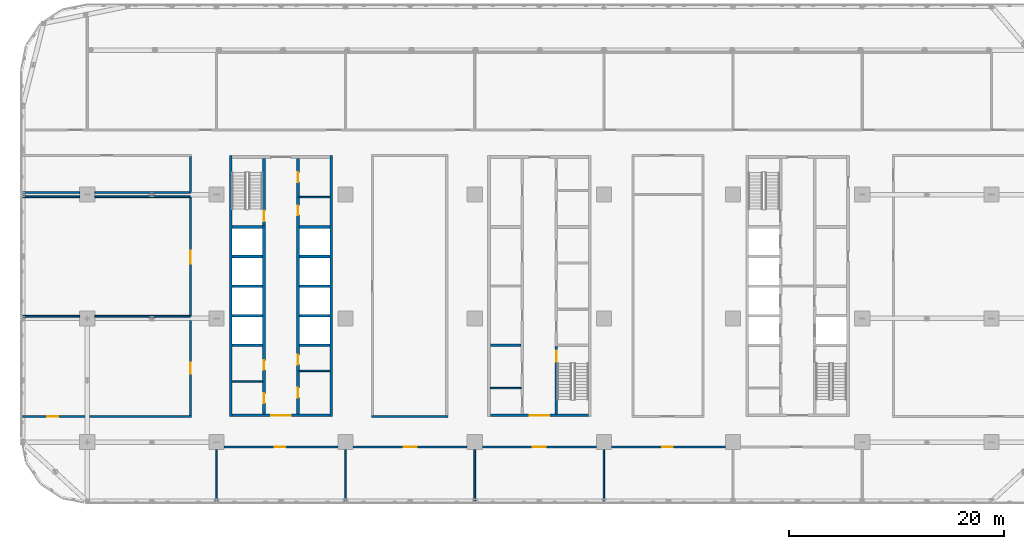
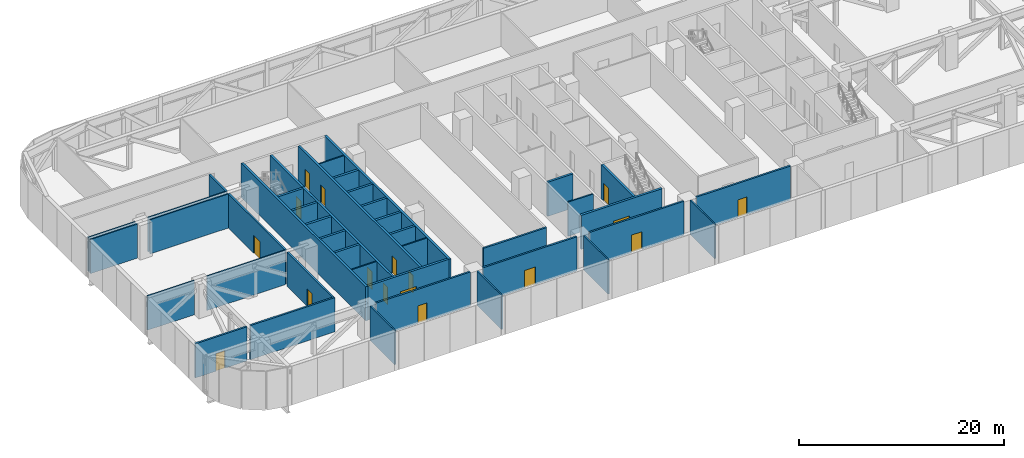
# One storey, part 9 of 26: 43 walls, 17 doors, 17 openings.
"""IFC4 building model written with IfcOpenShell, lengths in metres."""

import ifcopenshell
import ifcopenshell.guid

model = None  # the IFC model being written
_history = None  # IfcOwnerHistory: only IFC2X3 demands one
_inside = {}  # id of a spatial element -> (the spatial element, [elements in it])
_under = {}  # id of a project, library or spatial element -> (it, [spatial elements below it])
_declared = {}  # id of a project -> (the project, [libraries it declares])
_typed = {}  # id of a type object -> (the type object, [elements of that type])
_made_of = {}  # id of a material, layer set ... -> (it, [elements and type objects made of it])


def new_model(schema):
    """Start an empty IFC model of exactly this schema.

    Asked for "IFC4X3", IfcOpenShell would pick the latest addendum, in which some entities
    have other attributes; the version numbers below select the first issue.
    IFC2X3 requires an IfcOwnerHistory on every rooted entity: one is made here for all.
    """
    global model, _history
    if schema == "IFC4X3":
        model = ifcopenshell.file(schema_version=(4, 3, 0, 0))
    else:
        model = ifcopenshell.file(schema=schema)
    _inside.clear()
    _under.clear()
    _declared.clear()
    _typed.clear()
    _made_of.clear()
    _history = None
    if model.schema == "IFC2X3":
        org = make("IfcOrganization", Name="unknown")
        user = make(
            "IfcPersonAndOrganization",
            ThePerson=make("IfcPerson", FamilyName="unknown"),
            TheOrganization=org,
        )
        app = make(
            "IfcApplication",
            ApplicationDeveloper=org,
            Version="unknown",
            ApplicationFullName="unknown",
            ApplicationIdentifier="unknown",
        )
        _history = make(
            "IfcOwnerHistory",
            OwningUser=user,
            OwningApplication=app,
            ChangeAction="ADDED",
            CreationDate=0,
        )
    return model


def make(cls, **values):
    """One entity of the class cls with the attributes given. An attribute that is None is left unset."""
    return model.create_entity(
        cls, **{name: value for name, value in values.items() if value is not None}
    )


def rooted(cls, **values):
    """An entity with a GlobalId (a new one), such as an element, a storey or a relation."""
    return make(cls, GlobalId=ifcopenshell.guid.new(), OwnerHistory=_history, **values)


def si_unit(unit_type, name, prefix=None):
    """IfcSIUnit, for example si_unit("LENGTHUNIT", "METRE", prefix="MILLI")."""
    return make("IfcSIUnit", UnitType=unit_type, Prefix=prefix, Name=name)


def assignment(units):
    """IfcUnitAssignment: the units of a project."""
    return None if units is None else make("IfcUnitAssignment", Units=units)


def point(xyz):
    """IfcCartesianPoint."""
    return None if xyz is None else make("IfcCartesianPoint", Coordinates=xyz)


def direction(xyz):
    """IfcDirection."""
    return None if xyz is None else make("IfcDirection", DirectionRatios=xyz)


def frame(location, z_axis=None, x_axis=None):
    """IfcAxis2Placement3D, a coordinate frame: its origin and axes. An axis left out is left unset."""
    return make(
        "IfcAxis2Placement3D",
        Location=point(location),
        Axis=direction(z_axis),
        RefDirection=direction(x_axis),
    )


def frame_2d(location, x_axis=None):
    """IfcAxis2Placement2D, a coordinate frame in the plane: its origin and x axis."""
    return make(
        "IfcAxis2Placement2D", Location=point(location), RefDirection=direction(x_axis)
    )


def origin():
    """The frame at (0, 0, 0) with its axes left unset."""
    return frame((0.0, 0.0, 0.0))


def place(relative_to, where):
    """IfcLocalPlacement: puts the frame where relative to a parent placement (None: the world)."""
    return make(
        "IfcLocalPlacement", PlacementRelTo=relative_to, RelativePlacement=where
    )


def context(
    kind, dimensions, precision=None, world=None, true_north=None, identifier=None
):
    """IfcGeometricRepresentationContext, for example the 3D "Model" context."""
    return make(
        "IfcGeometricRepresentationContext",
        ContextIdentifier=identifier,
        ContextType=kind,
        CoordinateSpaceDimension=dimensions,
        Precision=precision,
        WorldCoordinateSystem=world,
        TrueNorth=true_north,
    )


def subcontext(parent, identifier, kind, view, scale=None):
    """IfcGeometricRepresentationSubContext, for example "Body" below "Model"."""
    return make(
        "IfcGeometricRepresentationSubContext",
        ContextIdentifier=identifier,
        ContextType=kind,
        ParentContext=parent,
        TargetScale=scale,
        TargetView=view,
    )


def project(units=None, contexts=None):
    """IfcProject with its units and contexts."""
    return rooted(
        "IfcProject",
        Name="project",
        RepresentationContexts=contexts,
        UnitsInContext=assignment(units),
    )


def spatial(cls, under=None, at=None, **own):
    """A site, building, storey or space (cls), placed at a placement, below another one or the project."""
    s = rooted(cls, ObjectPlacement=at, **own)
    if under is not None:
        _under.setdefault(under.id(), (under, []))[1].append(s)
    return s


def profile(cls, at=None, kind="AREA", **sizes):
    """A parametric profile (cls). Its sizes go by their IFC names, for example OverallWidth=200.0."""
    return make(cls, ProfileType=kind, Position=at, **sizes)


def rectangle(**sizes):
    """IfcRectangleProfileDef."""
    return profile("IfcRectangleProfileDef", **sizes)


def extrude(swept, where, along, depth):
    """IfcExtrudedAreaSolid: the profile swept, set in the frame where, extruded along a direction by depth."""
    return make(
        "IfcExtrudedAreaSolid",
        SweptArea=swept,
        Position=where,
        ExtrudedDirection=direction(along),
        Depth=depth,
    )


def shape(context_of_items, identifier, shape_type, items):
    """IfcShapeRepresentation: the items that make up one representation, for example the "Body"."""
    return make(
        "IfcShapeRepresentation",
        ContextOfItems=context_of_items,
        RepresentationIdentifier=identifier,
        RepresentationType=shape_type,
        Items=items,
    )


def material(Name=None, Category=None):
    """IfcMaterial."""
    return make("IfcMaterial", Name=Name, Category=Category)


def layer(
    of_material, thickness, ventilated=None, Name=None, Category=None, Priority=None
):
    """IfcMaterialLayer: one layer of a wall or slab, of a material (None: an air gap)."""
    return make(
        "IfcMaterialLayer",
        Material=of_material,
        LayerThickness=thickness,
        IsVentilated=ventilated,
        Name=Name,
        Category=Category,
        Priority=Priority,
    )


def layer_set(layers, Name=None):
    """IfcMaterialLayerSet."""
    return make("IfcMaterialLayerSet", MaterialLayers=layers, LayerSetName=Name)


def made_of(thing, what):
    """Note that an element or type object is made of a material, layer set ...; save() writes the relation."""
    if what is not None:
        _made_of.setdefault(what.id(), (what, []))[1].append(thing)
    return thing


def type_object(cls, material=None, **own):
    """A type object (cls), such as IfcWallType, which elements share."""
    return made_of(rooted(cls, **own), material)


def element(
    cls,
    number,
    at=None,
    inside=None,
    cuts=None,
    type_object=None,
    material=None,
    context=None,
    identifier="Body",
    shape_type=None,
    held_by="IfcProductDefinitionShape",
    body=None,
    shapes=None,
    **own,
):
    """One element of the class cls, such as IfcWall. Its Tag is "e" and its number.

    at: its placement. inside: the storey or other place that contains it. cuts: it is an
    opening in that element (IfcRelVoidsElement). A single representation is given by context,
    identifier, shape_type and body (its items); several are given by shapes. held_by: the class
    of the entity that holds the representations. save() writes the other relations.
    """
    e = rooted(cls, Tag="e%d" % number, ObjectPlacement=at, **own)
    if body is not None:
        shapes = [shape(context, identifier, shape_type, body)]
    if shapes is not None:
        e.Representation = make(held_by, Representations=shapes)
    if inside is not None:
        _inside.setdefault(inside.id(), (inside, []))[1].append(e)
    if cuts is not None:
        rooted(
            "IfcRelVoidsElement", RelatingBuildingElement=cuts, RelatedOpeningElement=e
        )
    if type_object is not None:
        _typed.setdefault(type_object.id(), (type_object, []))[1].append(e)
    return made_of(e, material)


def fill(opening, filler):
    """IfcRelFillsElement: the door or window that sits in an opening."""
    return rooted(
        "IfcRelFillsElement",
        RelatingOpeningElement=opening,
        RelatedBuildingElement=filler,
    )


def aggregate(whole, parts):
    """IfcRelAggregates: a whole, such as a stair, and the parts it consists of."""
    return rooted("IfcRelAggregates", RelatingObject=whole, RelatedObjects=parts)


def save(model, path):
    """Write the relations noted so far, then the file.

    IfcRelAggregates (storeys below a building ...), IfcRelContainedInSpatialStructure (elements
    in a storey), IfcRelDefinesByType, IfcRelAssociatesMaterial and IfcRelDeclares: one each for
    every whole, place, type object, material and project.
    """
    for whole, parts in _under.values():
        aggregate(whole, parts)
    for where, things in _inside.values():
        rooted(
            "IfcRelContainedInSpatialStructure",
            RelatedElements=things,
            RelatingStructure=where,
        )
    for kind, things in _typed.values():
        rooted("IfcRelDefinesByType", RelatedObjects=things, RelatingType=kind)
    for what, things in _made_of.values():
        rooted("IfcRelAssociatesMaterial", RelatedObjects=things, RelatingMaterial=what)
    for by, libraries in _declared.values():
        rooted("IfcRelDeclares", RelatingContext=by, RelatedDefinitions=libraries)
    model.write(path)


model = new_model("IFC4")

# Units and contexts
model_context = context("Model", 3, precision=1e-05, world=origin(), true_north=direction((0.0, 1.0)))
body_context = subcontext(model_context, "Body", "Model", "MODEL_VIEW")
ifc_project = project(units=[si_unit("LENGTHUNIT", "METRE"), si_unit("AREAUNIT", "SQUARE_METRE"), si_unit("VOLUMEUNIT", "CUBIC_METRE"), si_unit("PLANEANGLEUNIT", "RADIAN"), si_unit("MASSUNIT", "GRAM", prefix="KILO")], contexts=[model_context])

# Site, building, storey
site_placement = place(None, origin())
site = spatial("IfcSite", under=ifc_project, at=site_placement, CompositionType="ELEMENT")
building_placement = place(site_placement, origin())
building = spatial("IfcBuilding", under=site, at=building_placement, Name="Mahtab Terrace Research Tower", CompositionType="ELEMENT")
storey_placement = place(building_placement, frame((0.0, 0.0, 117.60009765625)))
storey = spatial("IfcBuildingStorey", under=building, at=storey_placement, Name="L27", CompositionType="ELEMENT", Elevation=117.60009765625)

# Walls
ifc_material_1 = material(Name="Gypsum board partition")
ifc_layer_1 = layer(ifc_material_1, 0.14990234375)
ifc_layer_set_1 = layer_set([ifc_layer_1], Name="Core partition 150")
wall_type_1 = type_object("IfcWallType", Name="Core partition 150", PredefinedType="PARTITIONING", material=ifc_layer_set_1)
for number, where, z_axis, x_axis, name in (
    (1, (-28.550048828125, -5.875, 0.0), (0.0, 0.0, 1.0), (1.0, 0.0, 0.0), "Core wall A pWS-888"),
    (2, (-22.300048828125, -4.875, 0.0), (0.0, 0.0, 1.0), (1.0, 0.0, 0.0), "Core wall A pES-788"),
    (3, (-22.300048828125, 11.27490234375, 0.0), (0.0, 0.0, 1.0), (1.0, 0.0, 0.0), "Core wall A pEN828"),
    (4, (-4.550048828125, -6.47509765625, 0.0), (0.0, 0.0, 1.0), (1.0, 0.0, 0.0), "Core wall B pWS-948"),
):
    element("IfcWall", number, at=place(storey_placement, frame(where, z_axis=z_axis, x_axis=x_axis)), inside=storey, type_object=wall_type_1, Name=name, PredefinedType="PARTITIONING", context=body_context, shape_type="SweptSolid", body=[
        extrude(rectangle(XDim=2.85009765625, YDim=0.14990234375, at=frame_2d((1.425048828125, 0.0))), origin(), (0.0, 0.0, 1.0), 4.059814453125),
    ])
ifc_material_2 = material(Name="Concrete C70/85", Category="concrete")
ifc_layer_2 = layer(ifc_material_2, 0.25)
ifc_layer_set_2 = layer_set([ifc_layer_2], Name="Core wall 250")
wall_type_2 = type_object("IfcWallType", Name="Core wall 250", PredefinedType="SOLIDWALL", material=ifc_layer_set_2)
for number, where, z_axis, x_axis, name in (
    (5, (-28.675048828125, 15.125, 0.0), (0.0, 0.0, 1.0), (0.0, -1.0, 0.0), "Core wall A outerW"),
    (6, (-19.324951171875, -9.125, 0.0), (0.0, 0.0, 1.0), (0.0, 1.0, 0.0), "Core wall A outerE"),
):
    element("IfcWall", number, at=place(storey_placement, frame(where, z_axis=z_axis, x_axis=x_axis)), inside=storey, type_object=wall_type_2, Name=name, PredefinedType="SOLIDWALL", context=body_context, shape_type="SweptSolid", body=[
        extrude(rectangle(XDim=24.25, YDim=0.25, at=frame_2d((12.125, 0.0))), origin(), (0.0, 0.0, 1.0), 4.059814453125),
    ])

# Wall, opening, door
wall_1_placement = place(storey_placement, frame((-19.449951171875, -9.0, 0.0), z_axis=(0.0, 0.0, 1.0), x_axis=(-1.0, 0.0, 0.0)))
wall_1 = element("IfcWall", 7, at=wall_1_placement, inside=storey, type_object=wall_type_2, Name="Core wall A endS", PredefinedType="SOLIDWALL", context=body_context, shape_type="SweptSolid", body=[
    extrude(rectangle(XDim=9.10009765625, YDim=0.25, at=frame_2d((4.550048828125, 0.0))), origin(), (0.0, 0.0, 1.0), 4.059814453125),
])
opening_1_placement = place(wall_1_placement, frame((3.64990234375, 0.0, 0.0)))
opening_1 = element("IfcOpeningElement", 8, at=opening_1_placement, cuts=wall_1, Name="Opening A-S1", PredefinedType="OPENING", context=body_context, shape_type="SweptSolid", body=[
    extrude(rectangle(XDim=1.800048828125, YDim=2.10009765625, at=frame_2d((0.89990234375, 1.050048828125))), frame((0.0, 0.135009765625, 0.0), z_axis=(0.0, -1.0, 0.0), x_axis=(1.0, 0.0, 0.0)), (0.0, 0.0, 1.0), 0.27001953125),
])
ifc_material_3 = material(Name="Steel fire door", Category="steel")
door_type_1 = type_object("IfcDoorType", Name="Lobby double door 1800x2100 1 HR", OperationType="DOUBLE_DOOR_SINGLE_SWING", PredefinedType="DOOR", material=ifc_material_3)
door_1_placement = place(opening_1_placement, origin())
door_1 = element("IfcDoor", 9, at=door_1_placement, inside=storey, type_object=door_type_1, Name="Core entrance door A S", OperationType="DOUBLE_DOOR_SINGLE_SWING", OverallHeight=2.10009765625, OverallWidth=1.800048828125, PredefinedType="DOOR", context=body_context, shape_type="SweptSolid", body=[
    extrude(rectangle(XDim=1.800048828125, YDim=2.10009765625, at=frame_2d((0.89990234375, 1.050048828125))), frame((0.0, 0.02490234375, 0.0), z_axis=(0.0, -1.0, 0.0), x_axis=(1.0, 0.0, 0.0)), (0.0, 0.0, 1.0), 0.050048828125),
])
fill(opening_1, door_1)

# Wall, openings, doors
wall_2_placement = place(storey_placement, frame((-25.574951171875, -8.875, 0.0), z_axis=(0.0, 0.0, 1.0), x_axis=(0.0, 1.0, 0.0)))
wall_2 = element("IfcWall", 10, at=wall_2_placement, inside=storey, type_object=wall_type_2, Name="Core wall A innerWSL", PredefinedType="SOLIDWALL", context=body_context, shape_type="SweptSolid", body=[
    extrude(rectangle(XDim=17.5, YDim=0.25, at=frame_2d((8.75, 0.0))), origin(), (0.0, 0.0, 1.0), 4.059814453125),
])
opening_2_placement = place(wall_2_placement, frame((1.012451171875, 0.0, 0.0)))
opening_2 = element("IfcOpeningElement", 11, at=opening_2_placement, cuts=wall_2, Name="Opening A-R1", PredefinedType="OPENING", context=body_context, shape_type="SweptSolid", body=[
    extrude(rectangle(XDim=0.89990234375, YDim=2.10009765625, at=frame_2d((0.449951171875, 1.050048828125))), frame((0.0, 0.135009765625, 0.0), z_axis=(0.0, -1.0, 0.0), x_axis=(1.0, 0.0, 0.0)), (0.0, 0.0, 1.0), 0.27001953125),
])
opening_3_placement = place(wall_2_placement, frame((4.08740234375, 0.0, 0.0)))
opening_3 = element("IfcOpeningElement", 12, at=opening_3_placement, cuts=wall_2, Name="Opening A-R2", PredefinedType="OPENING", context=body_context, shape_type="SweptSolid", body=[
    extrude(rectangle(XDim=0.89990234375, YDim=2.10009765625, at=frame_2d((0.449951171875, 1.050048828125))), frame((0.0, 0.135009765625, 0.0), z_axis=(0.0, -1.0, 0.0), x_axis=(1.0, 0.0, 0.0)), (0.0, 0.0, 1.0), 0.27001953125),
])
door_type_2 = type_object("IfcDoorType", Name="Room door 900x2100 1 HR", OperationType="NOTDEFINED", PredefinedType="DOOR", material=ifc_material_3)
door_2_placement = place(opening_2_placement, origin())
door_2 = element("IfcDoor", 13, at=door_2_placement, inside=storey, type_object=door_type_2, Name="Staff WC door", OperationType="SINGLE_SWING_LEFT", OverallHeight=2.10009765625, OverallWidth=0.89990234375, PredefinedType="DOOR", context=body_context, shape_type="SweptSolid", body=[
    extrude(rectangle(XDim=0.89990234375, YDim=2.10009765625, at=frame_2d((0.449951171875, 1.050048828125))), frame((0.0, 0.02490234375, 0.0), z_axis=(0.0, -1.0, 0.0), x_axis=(1.0, 0.0, 0.0)), (0.0, 0.0, 1.0), 0.050048828125),
])
fill(opening_2, door_2)
door_3_placement = place(opening_3_placement, origin())
door_3 = element("IfcDoor", 14, at=door_3_placement, inside=storey, type_object=door_type_2, Name="Accessible WC door", OperationType="SINGLE_SWING_RIGHT", OverallHeight=2.10009765625, OverallWidth=0.89990234375, PredefinedType="DOOR", context=body_context, shape_type="SweptSolid", body=[
    extrude(rectangle(XDim=0.89990234375, YDim=2.10009765625, at=frame_2d((0.449951171875, 1.050048828125))), frame((0.0, 0.02490234375, 0.0), z_axis=(0.0, -1.0, 0.0), x_axis=(1.0, 0.0, 0.0)), (0.0, 0.0, 1.0), 0.050048828125),
])
fill(opening_3, door_3)

# Wall, opening, door
wall_3_placement = place(storey_placement, frame((-25.574951171875, 14.875, 0.0), z_axis=(0.0, 0.0, 1.0), x_axis=(0.0, -1.0, 0.0)))
wall_3 = element("IfcWall", 15, at=wall_3_placement, inside=storey, type_object=wall_type_2, Name="Core wall A innerWN", PredefinedType="SOLIDWALL", context=body_context, shape_type="SweptSolid", body=[
    extrude(rectangle(XDim=6.25, YDim=0.25, at=frame_2d((3.125, 0.0))), origin(), (0.0, 0.0, 1.0), 4.059814453125),
])
opening_4_placement = place(wall_3_placement, frame((4.85009765625, 0.0, 0.0)))
opening_4 = element("IfcOpeningElement", 16, at=opening_4_placement, cuts=wall_3, Name="Opening A-ST1", PredefinedType="OPENING", context=body_context, shape_type="SweptSolid", body=[
    extrude(rectangle(XDim=1.0, YDim=2.10009765625, at=frame_2d((0.5, 1.050048828125))), frame((0.0, 0.135009765625, 0.0), z_axis=(0.0, -1.0, 0.0), x_axis=(1.0, 0.0, 0.0)), (0.0, 0.0, 1.0), 0.27001953125),
])
door_type_3 = type_object("IfcDoorType", Name="Stair door 1000x2100 1.5 HR", OperationType="NOTDEFINED", PredefinedType="DOOR", material=ifc_material_3)
door_4_placement = place(opening_4_placement, origin())
door_4 = element("IfcDoor", 17, at=door_4_placement, inside=storey, type_object=door_type_3, Name="Stair door ST1 L27", OperationType="SINGLE_SWING_LEFT", OverallHeight=2.10009765625, OverallWidth=1.0, PredefinedType="DOOR", context=body_context, shape_type="SweptSolid", body=[
    extrude(rectangle(XDim=1.0, YDim=2.10009765625, at=frame_2d((0.5, 1.050048828125))), frame((0.0, 0.02490234375, 0.0), z_axis=(0.0, -1.0, 0.0), x_axis=(1.0, 0.0, 0.0)), (0.0, 0.0, 1.0), 0.050048828125),
])
fill(opening_4, door_4)

# Wall, openings, doors
wall_4_placement = place(storey_placement, frame((-22.425048828125, 14.875, 0.0), z_axis=(0.0, 0.0, 1.0), x_axis=(0.0, -1.0, 0.0)))
wall_4 = element("IfcWall", 18, at=wall_4_placement, inside=storey, type_object=wall_type_2, Name="Core wall A innerESLN", PredefinedType="SOLIDWALL", context=body_context, shape_type="SweptSolid", body=[
    extrude(rectangle(XDim=23.75, YDim=0.25, at=frame_2d((11.875, 0.0))), origin(), (0.0, 0.0, 1.0), 4.059814453125),
])
opening_5_placement = place(wall_4_placement, frame((21.33740234375, 0.0, 0.0)))
opening_5 = element("IfcOpeningElement", 19, at=opening_5_placement, cuts=wall_4, Name="Opening A-R3", PredefinedType="OPENING", context=body_context, shape_type="SweptSolid", body=[
    extrude(rectangle(XDim=0.89990234375, YDim=2.10009765625, at=frame_2d((0.449951171875, 1.050048828125))), frame((0.0, 0.135009765625, 0.0), z_axis=(0.0, -1.0, 0.0), x_axis=(1.0, 0.0, 0.0)), (0.0, 0.0, 1.0), 0.27001953125),
])
opening_6_placement = place(wall_4_placement, frame((18.262451171875, 0.0, 0.0)))
opening_6 = element("IfcOpeningElement", 20, at=opening_6_placement, cuts=wall_4, Name="Opening A-R4", PredefinedType="OPENING", context=body_context, shape_type="SweptSolid", body=[
    extrude(rectangle(XDim=0.89990234375, YDim=2.10009765625, at=frame_2d((0.449951171875, 1.050048828125))), frame((0.0, 0.135009765625, 0.0), z_axis=(0.0, -1.0, 0.0), x_axis=(1.0, 0.0, 0.0)), (0.0, 0.0, 1.0), 0.27001953125),
])
opening_7_placement = place(wall_4_placement, frame((4.387451171875, 0.0, 0.0)))
opening_7 = element("IfcOpeningElement", 21, at=opening_7_placement, cuts=wall_4, Name="Opening A-R5", PredefinedType="OPENING", context=body_context, shape_type="SweptSolid", body=[
    extrude(rectangle(XDim=0.89990234375, YDim=2.10009765625, at=frame_2d((0.449951171875, 1.050048828125))), frame((0.0, 0.135009765625, 0.0), z_axis=(0.0, -1.0, 0.0), x_axis=(1.0, 0.0, 0.0)), (0.0, 0.0, 1.0), 0.27001953125),
])
opening_8_placement = place(wall_4_placement, frame((1.3125, 0.0, 0.0)))
opening_8 = element("IfcOpeningElement", 22, at=opening_8_placement, cuts=wall_4, Name="Opening A-R6", PredefinedType="OPENING", context=body_context, shape_type="SweptSolid", body=[
    extrude(rectangle(XDim=0.89990234375, YDim=2.10009765625, at=frame_2d((0.449951171875, 1.050048828125))), frame((0.0, 0.135009765625, 0.0), z_axis=(0.0, -1.0, 0.0), x_axis=(1.0, 0.0, 0.0)), (0.0, 0.0, 1.0), 0.27001953125),
])
door_5_placement = place(opening_5_placement, origin())
door_5 = element("IfcDoor", 23, at=door_5_placement, inside=storey, type_object=door_type_2, Name="IT equipment room door", OperationType="SINGLE_SWING_LEFT", OverallHeight=2.10009765625, OverallWidth=0.89990234375, PredefinedType="DOOR", context=body_context, shape_type="SweptSolid", body=[
    extrude(rectangle(XDim=0.89990234375, YDim=2.10009765625, at=frame_2d((0.449951171875, 1.050048828125))), frame((0.0, 0.02490234375, 0.0), z_axis=(0.0, -1.0, 0.0), x_axis=(1.0, 0.0, 0.0)), (0.0, 0.0, 1.0), 0.050048828125),
])
fill(opening_5, door_5)
door_6_placement = place(opening_6_placement, origin())
door_6 = element("IfcDoor", 24, at=door_6_placement, inside=storey, type_object=door_type_2, Name="Electrical riser room door", OperationType="SINGLE_SWING_RIGHT", OverallHeight=2.10009765625, OverallWidth=0.89990234375, PredefinedType="DOOR", context=body_context, shape_type="SweptSolid", body=[
    extrude(rectangle(XDim=0.89990234375, YDim=2.10009765625, at=frame_2d((0.449951171875, 1.050048828125))), frame((0.0, 0.02490234375, 0.0), z_axis=(0.0, -1.0, 0.0), x_axis=(1.0, 0.0, 0.0)), (0.0, 0.0, 1.0), 0.050048828125),
])
fill(opening_6, door_6)
door_7_placement = place(opening_7_placement, origin())
door_7 = element("IfcDoor", 25, at=door_7_placement, inside=storey, type_object=door_type_2, Name="Mechanical riser room door", OperationType="SINGLE_SWING_LEFT", OverallHeight=2.10009765625, OverallWidth=0.89990234375, PredefinedType="DOOR", context=body_context, shape_type="SweptSolid", body=[
    extrude(rectangle(XDim=0.89990234375, YDim=2.10009765625, at=frame_2d((0.449951171875, 1.050048828125))), frame((0.0, 0.02490234375, 0.0), z_axis=(0.0, -1.0, 0.0), x_axis=(1.0, 0.0, 0.0)), (0.0, 0.0, 1.0), 0.050048828125),
])
fill(opening_7, door_7)
door_8_placement = place(opening_8_placement, origin())
door_8 = element("IfcDoor", 26, at=door_8_placement, inside=storey, type_object=door_type_2, Name="Chemical store door", OperationType="SINGLE_SWING_RIGHT", OverallHeight=2.10009765625, OverallWidth=0.89990234375, PredefinedType="DOOR", context=body_context, shape_type="SweptSolid", body=[
    extrude(rectangle(XDim=0.89990234375, YDim=2.10009765625, at=frame_2d((0.449951171875, 1.050048828125))), frame((0.0, 0.02490234375, 0.0), z_axis=(0.0, -1.0, 0.0), x_axis=(1.0, 0.0, 0.0)), (0.0, 0.0, 1.0), 0.050048828125),
])
fill(opening_8, door_8)

# Walls
for number, where, z_axis, x_axis, name in (
    (27, (-28.550048828125, -2.5, 0.0), (0.0, 0.0, 1.0), (1.0, 0.0, 0.0), "Core wall A divW0"),
    (28, (-28.550048828125, 0.25, 0.0), (0.0, 0.0, 1.0), (1.0, 0.0, 0.0), "Core wall A divW1"),
    (29, (-28.550048828125, 3.0, 0.0), (0.0, 0.0, 1.0), (1.0, 0.0, 0.0), "Core wall A divW2"),
    (30, (-28.550048828125, 5.75, 0.0), (0.0, 0.0, 1.0), (1.0, 0.0, 0.0), "Core wall A divW3"),
    (31, (-28.550048828125, 8.5, 0.0), (0.0, 0.0, 1.0), (1.0, 0.0, 0.0), "Core wall A divW4"),
    (32, (-22.300048828125, -2.5, 0.0), (0.0, 0.0, 1.0), (1.0, 0.0, 0.0), "Core wall A divE0"),
    (33, (-22.300048828125, 0.25, 0.0), (0.0, 0.0, 1.0), (1.0, 0.0, 0.0), "Core wall A divE1"),
    (34, (-22.300048828125, 3.0, 0.0), (0.0, 0.0, 1.0), (1.0, 0.0, 0.0), "Core wall A divE2"),
    (35, (-22.300048828125, 5.75, 0.0), (0.0, 0.0, 1.0), (1.0, 0.0, 0.0), "Core wall A divE3"),
    (36, (-22.300048828125, 8.5, 0.0), (0.0, 0.0, 1.0), (1.0, 0.0, 0.0), "Core wall A divE4"),
):
    element("IfcWall", number, at=place(storey_placement, frame(where, z_axis=z_axis, x_axis=x_axis)), inside=storey, type_object=wall_type_2, Name=name, PredefinedType="SOLIDWALL", context=body_context, shape_type="SweptSolid", body=[
        extrude(rectangle(XDim=2.85009765625, YDim=0.25, at=frame_2d((1.425048828125, 0.0))), origin(), (0.0, 0.0, 1.0), 4.059814453125),
    ])

# Wall, opening, door
wall_5_placement = place(storey_placement, frame((4.550048828125, -9.0, 0.0), z_axis=(0.0, 0.0, 1.0), x_axis=(-1.0, 0.0, 0.0)))
wall_5 = element("IfcWall", 37, at=wall_5_placement, inside=storey, type_object=wall_type_2, Name="Core wall B endS", PredefinedType="SOLIDWALL", context=body_context, shape_type="SweptSolid", body=[
    extrude(rectangle(XDim=9.10009765625, YDim=0.25, at=frame_2d((4.550048828125, 0.0))), origin(), (0.0, 0.0, 1.0), 4.059814453125),
])
opening_9_placement = place(wall_5_placement, frame((3.64990234375, 0.0, 0.0)))
opening_9 = element("IfcOpeningElement", 38, at=opening_9_placement, cuts=wall_5, Name="Opening B-S1", PredefinedType="OPENING", context=body_context, shape_type="SweptSolid", body=[
    extrude(rectangle(XDim=1.800048828125, YDim=2.10009765625, at=frame_2d((0.89990234375, 1.050048828125))), frame((0.0, 0.135009765625, 0.0), z_axis=(0.0, -1.0, 0.0), x_axis=(1.0, 0.0, 0.0)), (0.0, 0.0, 1.0), 0.27001953125),
])
door_9_placement = place(opening_9_placement, origin())
door_9 = element("IfcDoor", 39, at=door_9_placement, inside=storey, type_object=door_type_1, Name="Core entrance door B S", OperationType="DOUBLE_DOOR_SINGLE_SWING", OverallHeight=2.10009765625, OverallWidth=1.800048828125, PredefinedType="DOOR", context=body_context, shape_type="SweptSolid", body=[
    extrude(rectangle(XDim=1.800048828125, YDim=2.10009765625, at=frame_2d((0.89990234375, 1.050048828125))), frame((0.0, 0.02490234375, 0.0), z_axis=(0.0, -1.0, 0.0), x_axis=(1.0, 0.0, 0.0)), (0.0, 0.0, 1.0), 0.050048828125),
])
fill(opening_9, door_9)

wall_6_placement = place(storey_placement, frame((1.574951171875, -8.875, 0.0), z_axis=(0.0, 0.0, 1.0), x_axis=(0.0, 1.0, 0.0)))
wall_6 = element("IfcWall", 40, at=wall_6_placement, inside=storey, type_object=wall_type_2, Name="Core wall B innerES", PredefinedType="SOLIDWALL", context=body_context, shape_type="SweptSolid", body=[
    extrude(rectangle(XDim=6.25, YDim=0.25, at=frame_2d((3.125, 0.0))), origin(), (0.0, 0.0, 1.0), 4.059814453125),
])
opening_10_placement = place(wall_6_placement, frame((4.85009765625, 0.0, 0.0)))
opening_10 = element("IfcOpeningElement", 41, at=opening_10_placement, cuts=wall_6, Name="Opening B-ST2", PredefinedType="OPENING", context=body_context, shape_type="SweptSolid", body=[
    extrude(rectangle(XDim=1.0, YDim=2.10009765625, at=frame_2d((0.5, 1.050048828125))), frame((0.0, 0.135009765625, 0.0), z_axis=(0.0, -1.0, 0.0), x_axis=(1.0, 0.0, 0.0)), (0.0, 0.0, 1.0), 0.27001953125),
])
door_10_placement = place(opening_10_placement, origin())
door_10 = element("IfcDoor", 42, at=door_10_placement, inside=storey, type_object=door_type_3, Name="Stair door ST2 L27", OperationType="SINGLE_SWING_LEFT", OverallHeight=2.10009765625, OverallWidth=1.0, PredefinedType="DOOR", context=body_context, shape_type="SweptSolid", body=[
    extrude(rectangle(XDim=1.0, YDim=2.10009765625, at=frame_2d((0.5, 1.050048828125))), frame((0.0, 0.02490234375, 0.0), z_axis=(0.0, -1.0, 0.0), x_axis=(1.0, 0.0, 0.0)), (0.0, 0.0, 1.0), 0.050048828125),
])
fill(opening_10, door_10)

# Wall
wall_7_placement = place(storey_placement, frame((-4.550048828125, -2.5, 0.0), z_axis=(0.0, 0.0, 1.0), x_axis=(1.0, 0.0, 0.0)))
element("IfcWall", 43, at=wall_7_placement, inside=storey, type_object=wall_type_2, Name="Core wall B divW0", PredefinedType="SOLIDWALL", context=body_context, shape_type="SweptSolid", body=[
    extrude(rectangle(XDim=2.85009765625, YDim=0.25, at=frame_2d((1.425048828125, 0.0))), origin(), (0.0, 0.0, 1.0), 4.059814453125),
])

# Wall, opening, door
ifc_material_4 = material(Name="Gypsum board corridor wall on steel studs", Category="steel")
ifc_layer_3 = layer(ifc_material_4, 0.199951171875)
ifc_layer_set_3 = layer_set([ifc_layer_3], Name="WALL CORRIDOR 200")
wall_type_3 = type_object("IfcWallType", Name="WALL CORRIDOR 200", PredefinedType="PARTITIONING", material=ifc_layer_set_3)
wall_8_placement = place(storey_placement, frame((-29.300048828125, -11.949951171875, 0.0), z_axis=(0.0, 0.0, 1.0), x_axis=(1.0, 0.0, 0.0)))
wall_8 = element("IfcWall", 44, at=wall_8_placement, inside=storey, type_object=wall_type_3, Name="L27-W001", PredefinedType="PARTITIONING", context=body_context, shape_type="SweptSolid", body=[
    extrude(rectangle(XDim=10.60009765625, YDim=0.199951171875, at=frame_2d((5.300048828125, 0.0))), origin(), (0.0, 0.0, 1.0), 4.059814453125),
])
opening_11_placement = place(wall_8_placement, frame((4.699951171875, 0.0, 0.0)))
opening_11 = element("IfcOpeningElement", 45, at=opening_11_placement, cuts=wall_8, Name="Opening L27-101", PredefinedType="OPENING", context=body_context, shape_type="SweptSolid", body=[
    extrude(rectangle(XDim=1.0, YDim=2.10009765625, at=frame_2d((0.5, 1.050048828125))), frame((0.0, 0.10986328125, 0.0), z_axis=(0.0, -1.0, 0.0), x_axis=(1.0, 0.0, 0.0)), (0.0, 0.0, 1.0), 0.219970703125),
])
ifc_material_5 = material(Name="Timber door leaf in steel frame", Category="steel")
door_type_4 = type_object("IfcDoorType", Name="DOOR 1000X2100 FD30S", OperationType="SINGLE_SWING_LEFT", PredefinedType="DOOR", material=ifc_material_5)
door_11_placement = place(opening_11_placement, origin())
door_11 = element("IfcDoor", 46, at=door_11_placement, inside=storey, type_object=door_type_4, Name="Door L27-101", OperationType="SINGLE_SWING_RIGHT", OverallHeight=2.10009765625, OverallWidth=1.0, PredefinedType="DOOR", context=body_context, shape_type="SweptSolid", body=[
    extrude(rectangle(XDim=1.0, YDim=2.10009765625, at=frame_2d((0.5, 1.050048828125))), frame((0.0, 0.02490234375, 0.0), z_axis=(0.0, -1.0, 0.0), x_axis=(1.0, 0.0, 0.0)), (0.0, 0.0, 1.0), 0.050048828125),
])
fill(opening_11, door_11)

wall_9_placement = place(storey_placement, frame((-17.300048828125, -11.949951171875, 0.0), z_axis=(0.0, 0.0, 1.0), x_axis=(1.0, 0.0, 0.0)))
wall_9 = element("IfcWall", 47, at=wall_9_placement, inside=storey, type_object=wall_type_3, Name="L27-W002", PredefinedType="PARTITIONING", context=body_context, shape_type="SweptSolid", body=[
    extrude(rectangle(XDim=10.60009765625, YDim=0.199951171875, at=frame_2d((5.300048828125, 0.0))), origin(), (0.0, 0.0, 1.0), 4.059814453125),
])
opening_12_placement = place(wall_9_placement, frame((4.699951171875, 0.0, 0.0)))
opening_12 = element("IfcOpeningElement", 48, at=opening_12_placement, cuts=wall_9, Name="Opening L27-102", PredefinedType="OPENING", context=body_context, shape_type="SweptSolid", body=[
    extrude(rectangle(XDim=1.199951171875, YDim=2.10009765625, at=frame_2d((0.60009765625, 1.050048828125))), frame((0.0, 0.10986328125, 0.0), z_axis=(0.0, -1.0, 0.0), x_axis=(1.0, 0.0, 0.0)), (0.0, 0.0, 1.0), 0.219970703125),
])
door_type_5 = type_object("IfcDoorType", Name="DOOR 1200X2100 FD30S", OperationType="SINGLE_SWING_LEFT", PredefinedType="DOOR", material=ifc_material_5)
door_12_placement = place(opening_12_placement, origin())
door_12 = element("IfcDoor", 49, at=door_12_placement, inside=storey, type_object=door_type_5, Name="Door L27-102", OperationType="SINGLE_SWING_LEFT", OverallHeight=2.10009765625, OverallWidth=1.199951171875, PredefinedType="DOOR", context=body_context, shape_type="SweptSolid", body=[
    extrude(rectangle(XDim=1.199951171875, YDim=2.10009765625, at=frame_2d((0.60009765625, 1.050048828125))), frame((0.0, 0.02490234375, 0.0), z_axis=(0.0, -1.0, 0.0), x_axis=(1.0, 0.0, 0.0)), (0.0, 0.0, 1.0), 0.050048828125),
])
fill(opening_12, door_12)

wall_10_placement = place(storey_placement, frame((-5.300048828125, -11.949951171875, 0.0), z_axis=(0.0, 0.0, 1.0), x_axis=(1.0, 0.0, 0.0)))
wall_10 = element("IfcWall", 50, at=wall_10_placement, inside=storey, type_object=wall_type_3, Name="L27-W003", PredefinedType="PARTITIONING", context=body_context, shape_type="SweptSolid", body=[
    extrude(rectangle(XDim=10.60009765625, YDim=0.199951171875, at=frame_2d((5.300048828125, 0.0))), origin(), (0.0, 0.0, 1.0), 4.059814453125),
])
opening_13_placement = place(wall_10_placement, frame((4.699951171875, 0.0, 0.0)))
opening_13 = element("IfcOpeningElement", 51, at=opening_13_placement, cuts=wall_10, Name="Opening L27-103", PredefinedType="OPENING", context=body_context, shape_type="SweptSolid", body=[
    extrude(rectangle(XDim=1.199951171875, YDim=2.10009765625, at=frame_2d((0.60009765625, 1.050048828125))), frame((0.0, 0.10986328125, 0.0), z_axis=(0.0, -1.0, 0.0), x_axis=(1.0, 0.0, 0.0)), (0.0, 0.0, 1.0), 0.219970703125),
])
door_13_placement = place(opening_13_placement, origin())
door_13 = element("IfcDoor", 52, at=door_13_placement, inside=storey, type_object=door_type_5, Name="Door L27-103", OperationType="SINGLE_SWING_LEFT", OverallHeight=2.10009765625, OverallWidth=1.199951171875, PredefinedType="DOOR", context=body_context, shape_type="SweptSolid", body=[
    extrude(rectangle(XDim=1.199951171875, YDim=2.10009765625, at=frame_2d((0.60009765625, 1.050048828125))), frame((0.0, 0.02490234375, 0.0), z_axis=(0.0, -1.0, 0.0), x_axis=(1.0, 0.0, 0.0)), (0.0, 0.0, 1.0), 0.050048828125),
])
fill(opening_13, door_13)

wall_11_placement = place(storey_placement, frame((6.699951171875, -11.949951171875, 0.0), z_axis=(0.0, 0.0, 1.0), x_axis=(1.0, 0.0, 0.0)))
wall_11 = element("IfcWall", 53, at=wall_11_placement, inside=storey, type_object=wall_type_3, Name="L27-W004", PredefinedType="PARTITIONING", context=body_context, shape_type="SweptSolid", body=[
    extrude(rectangle(XDim=10.60009765625, YDim=0.199951171875, at=frame_2d((5.300048828125, 0.0))), origin(), (0.0, 0.0, 1.0), 4.059814453125),
])
opening_14_placement = place(wall_11_placement, frame((4.699951171875, 0.0, 0.0)))
opening_14 = element("IfcOpeningElement", 54, at=opening_14_placement, cuts=wall_11, Name="Opening L27-104", PredefinedType="OPENING", context=body_context, shape_type="SweptSolid", body=[
    extrude(rectangle(XDim=1.0, YDim=2.10009765625, at=frame_2d((0.5, 1.050048828125))), frame((0.0, 0.10986328125, 0.0), z_axis=(0.0, -1.0, 0.0), x_axis=(1.0, 0.0, 0.0)), (0.0, 0.0, 1.0), 0.219970703125),
])
door_14_placement = place(opening_14_placement, origin())
door_14 = element("IfcDoor", 55, at=door_14_placement, inside=storey, type_object=door_type_4, Name="Door L27-104", OperationType="SINGLE_SWING_RIGHT", OverallHeight=2.10009765625, OverallWidth=1.0, PredefinedType="DOOR", context=body_context, shape_type="SweptSolid", body=[
    extrude(rectangle(XDim=1.0, YDim=2.10009765625, at=frame_2d((0.5, 1.050048828125))), frame((0.0, 0.02490234375, 0.0), z_axis=(0.0, -1.0, 0.0), x_axis=(1.0, 0.0, 0.0)), (0.0, 0.0, 1.0), 0.050048828125),
])
fill(opening_14, door_14)

wall_12_placement = place(storey_placement, frame((-48.0, -9.125, 0.0), z_axis=(0.0, 0.0, 1.0), x_axis=(1.0, 0.0, 0.0)))
wall_12 = element("IfcWall", 56, at=wall_12_placement, inside=storey, type_object=wall_type_3, Name="L27-W006", PredefinedType="PARTITIONING", context=body_context, shape_type="SweptSolid", body=[
    extrude(rectangle(XDim=5.800048828125, YDim=0.199951171875, at=frame_2d((2.89990234375, 0.0))), origin(), (0.0, 0.0, 1.0), 4.059814453125),
])
opening_15_placement = place(wall_12_placement, frame((2.300048828125, 0.0, 0.0)))
opening_15 = element("IfcOpeningElement", 57, at=opening_15_placement, cuts=wall_12, Name="Opening L27-106", PredefinedType="OPENING", context=body_context, shape_type="SweptSolid", body=[
    extrude(rectangle(XDim=1.0, YDim=2.10009765625, at=frame_2d((0.5, 1.050048828125))), frame((0.0, 0.10986328125, 0.0), z_axis=(0.0, -1.0, 0.0), x_axis=(1.0, 0.0, 0.0)), (0.0, 0.0, 1.0), 0.219970703125),
])
door_15_placement = place(opening_15_placement, origin())
door_15 = element("IfcDoor", 58, at=door_15_placement, inside=storey, type_object=door_type_4, Name="Door L27-106", OperationType="SINGLE_SWING_LEFT", OverallHeight=2.10009765625, OverallWidth=1.0, PredefinedType="DOOR", context=body_context, shape_type="SweptSolid", body=[
    extrude(rectangle(XDim=1.0, YDim=2.10009765625, at=frame_2d((0.5, 1.050048828125))), frame((0.0, 0.02490234375, 0.0), z_axis=(0.0, -1.0, 0.0), x_axis=(1.0, 0.0, 0.0)), (0.0, 0.0, 1.0), 0.050048828125),
])
fill(opening_15, door_15)

# Walls
wall_13_placement = place(storey_placement, frame((-41.800048828125, -9.125, 0.0), z_axis=(0.0, 0.0, 1.0), x_axis=(1.0, 0.0, 0.0)))
element("IfcWall", 59, at=wall_13_placement, inside=storey, type_object=wall_type_3, Name="L27-W007", PredefinedType="PARTITIONING", context=body_context, shape_type="SweptSolid", body=[
    extrude(rectangle(XDim=9.5, YDim=0.199951171875, at=frame_2d((4.75, 0.0))), origin(), (0.0, 0.0, 1.0), 4.059814453125),
])
wall_14_placement = place(storey_placement, frame((-15.60009765625, -9.125, 0.0), z_axis=(0.0, 0.0, 1.0), x_axis=(1.0, 0.0, 0.0)))
element("IfcWall", 60, at=wall_14_placement, inside=storey, type_object=wall_type_3, Name="L27-W008", PredefinedType="PARTITIONING", context=body_context, shape_type="SweptSolid", body=[
    extrude(rectangle(XDim=7.10009765625, YDim=0.199951171875, at=frame_2d((3.550048828125, 0.0))), origin(), (0.0, 0.0, 1.0), 4.059814453125),
])

# Wall, opening, door
wall_15_placement = place(storey_placement, frame((-32.39990234375, -9.02490234375, 0.0), z_axis=(0.0, 0.0, 1.0), x_axis=(0.0, 1.0, 0.0)))
wall_15 = element("IfcWall", 61, at=wall_15_placement, inside=storey, type_object=wall_type_3, Name="L27-W033", PredefinedType="PARTITIONING", context=body_context, shape_type="SweptSolid", body=[
    extrude(rectangle(XDim=8.824951171875, YDim=0.199951171875, at=frame_2d((4.41259765625, 0.0))), origin(), (0.0, 0.0, 1.0), 4.059814453125),
])
opening_16_placement = place(wall_15_placement, frame((3.89990234375, 0.0, 0.0)))
opening_16 = element("IfcOpeningElement", 62, at=opening_16_placement, cuts=wall_15, Name="Opening L27-107", PredefinedType="OPENING", context=body_context, shape_type="SweptSolid", body=[
    extrude(rectangle(XDim=1.0, YDim=2.10009765625, at=frame_2d((0.5, 1.050048828125))), frame((0.0, 0.10986328125, 0.0), z_axis=(0.0, -1.0, 0.0), x_axis=(1.0, 0.0, 0.0)), (0.0, 0.0, 1.0), 0.219970703125),
])
door_16_placement = place(opening_16_placement, origin())
door_16 = element("IfcDoor", 63, at=door_16_placement, inside=storey, type_object=door_type_4, Name="Door L27-107", OperationType="SINGLE_SWING_LEFT", OverallHeight=2.10009765625, OverallWidth=1.0, PredefinedType="DOOR", context=body_context, shape_type="SweptSolid", body=[
    extrude(rectangle(XDim=1.0, YDim=2.10009765625, at=frame_2d((0.5, 1.050048828125))), frame((0.0, 0.02490234375, 0.0), z_axis=(0.0, -1.0, 0.0), x_axis=(1.0, 0.0, 0.0)), (0.0, 0.0, 1.0), 0.050048828125),
])
fill(opening_16, door_16)

wall_16_placement = place(storey_placement, frame((-32.39990234375, 0.199951171875, 0.0), z_axis=(0.0, 0.0, 1.0), x_axis=(0.0, 1.0, 0.0)))
wall_16 = element("IfcWall", 64, at=wall_16_placement, inside=storey, type_object=wall_type_3, Name="L27-W034", PredefinedType="PARTITIONING", context=body_context, shape_type="SweptSolid", body=[
    extrude(rectangle(XDim=11.10009765625, YDim=0.199951171875, at=frame_2d((5.550048828125, 0.0))), origin(), (0.0, 0.0, 1.0), 4.059814453125),
])
opening_17_placement = place(wall_16_placement, frame((4.89990234375, 0.0, 0.0)))
opening_17 = element("IfcOpeningElement", 65, at=opening_17_placement, cuts=wall_16, Name="Opening L27-110", PredefinedType="OPENING", context=body_context, shape_type="SweptSolid", body=[
    extrude(rectangle(XDim=1.199951171875, YDim=2.10009765625, at=frame_2d((0.60009765625, 1.050048828125))), frame((0.0, 0.10986328125, 0.0), z_axis=(0.0, -1.0, 0.0), x_axis=(1.0, 0.0, 0.0)), (0.0, 0.0, 1.0), 0.219970703125),
])
door_17_placement = place(opening_17_placement, origin())
door_17 = element("IfcDoor", 66, at=door_17_placement, inside=storey, type_object=door_type_5, Name="Door L27-110", OperationType="SINGLE_SWING_LEFT", OverallHeight=2.10009765625, OverallWidth=1.199951171875, PredefinedType="DOOR", context=body_context, shape_type="SweptSolid", body=[
    extrude(rectangle(XDim=1.199951171875, YDim=2.10009765625, at=frame_2d((0.60009765625, 1.050048828125))), frame((0.0, 0.02490234375, 0.0), z_axis=(0.0, -1.0, 0.0), x_axis=(1.0, 0.0, 0.0)), (0.0, 0.0, 1.0), 0.050048828125),
])
fill(opening_17, door_17)

# Walls
wall_17_placement = place(storey_placement, frame((-32.39990234375, 11.699951171875, 0.0), z_axis=(0.0, 0.0, 1.0), x_axis=(0.0, 1.0, 0.0)))
element("IfcWall", 67, at=wall_17_placement, inside=storey, type_object=wall_type_3, Name="L27-W035", PredefinedType="PARTITIONING", context=body_context, shape_type="SweptSolid", body=[
    extrude(rectangle(XDim=3.324951171875, YDim=0.199951171875, at=frame_2d((1.66259765625, 0.0))), origin(), (0.0, 0.0, 1.0), 4.059814453125),
])
ifc_material_6 = material(Name="Gypsum board partition on steel studs", Category="steel")
ifc_layer_4 = layer(ifc_material_6, 0.14990234375)
ifc_layer_set_4 = layer_set([ifc_layer_4], Name="WALL PARTITION 150")
wall_type_4 = type_object("IfcWallType", Name="WALL PARTITION 150", PredefinedType="PARTITIONING", material=ifc_layer_set_4)
wall_18_placement = place(storey_placement, frame((-48.0, 0.199951171875, 0.0), z_axis=(0.0, 0.0, 1.0), x_axis=(1.0, 0.0, 0.0)))
element("IfcWall", 68, at=wall_18_placement, inside=storey, type_object=wall_type_4, Name="L27-W012", PredefinedType="PARTITIONING", context=body_context, shape_type="SweptSolid", body=[
    extrude(rectangle(XDim=5.300048828125, YDim=0.14990234375, at=frame_2d((2.64990234375, 0.0))), origin(), (0.0, 0.0, 1.0), 4.059814453125),
])
wall_19_placement = place(storey_placement, frame((-41.300048828125, 0.199951171875, 0.0), z_axis=(0.0, 0.0, 1.0), x_axis=(1.0, 0.0, 0.0)))
element("IfcWall", 69, at=wall_19_placement, inside=storey, type_object=wall_type_4, Name="L27-W013", PredefinedType="PARTITIONING", context=body_context, shape_type="SweptSolid", body=[
    extrude(rectangle(XDim=8.85009765625, YDim=0.14990234375, at=frame_2d((4.425048828125, 0.0))), origin(), (0.0, 0.0, 1.0), 4.059814453125),
])
wall_20_placement = place(storey_placement, frame((-48.0, 11.300048828125, 0.0), z_axis=(0.0, 0.0, 1.0), x_axis=(1.0, 0.0, 0.0)))
element("IfcWall", 70, at=wall_20_placement, inside=storey, type_object=wall_type_4, Name="L27-W014", PredefinedType="PARTITIONING", context=body_context, shape_type="SweptSolid", body=[
    extrude(rectangle(XDim=5.300048828125, YDim=0.14990234375, at=frame_2d((2.64990234375, 0.0))), origin(), (0.0, 0.0, 1.0), 4.059814453125),
])
wall_21_placement = place(storey_placement, frame((-41.300048828125, 11.300048828125, 0.0), z_axis=(0.0, 0.0, 1.0), x_axis=(1.0, 0.0, 0.0)))
element("IfcWall", 71, at=wall_21_placement, inside=storey, type_object=wall_type_4, Name="L27-W015", PredefinedType="PARTITIONING", context=body_context, shape_type="SweptSolid", body=[
    extrude(rectangle(XDim=8.85009765625, YDim=0.14990234375, at=frame_2d((4.425048828125, 0.0))), origin(), (0.0, 0.0, 1.0), 4.059814453125),
])
wall_22_placement = place(storey_placement, frame((-48.0, 11.699951171875, 0.0), z_axis=(0.0, 0.0, 1.0), x_axis=(1.0, 0.0, 0.0)))
element("IfcWall", 72, at=wall_22_placement, inside=storey, type_object=wall_type_4, Name="L27-W017", PredefinedType="PARTITIONING", context=body_context, shape_type="SweptSolid", body=[
    extrude(rectangle(XDim=5.300048828125, YDim=0.14990234375, at=frame_2d((2.64990234375, 0.0))), origin(), (0.0, 0.0, 1.0), 4.059814453125),
])
wall_23_placement = place(storey_placement, frame((-41.300048828125, 11.699951171875, 0.0), z_axis=(0.0, 0.0, 1.0), x_axis=(1.0, 0.0, 0.0)))
element("IfcWall", 73, at=wall_23_placement, inside=storey, type_object=wall_type_4, Name="L27-W018", PredefinedType="PARTITIONING", context=body_context, shape_type="SweptSolid", body=[
    extrude(rectangle(XDim=8.85009765625, YDim=0.14990234375, at=frame_2d((4.425048828125, 0.0))), origin(), (0.0, 0.0, 1.0), 4.059814453125),
])
for number, where, z_axis, x_axis, name in (
    (74, (-30.0, -17.0, 0.0), (0.0, 0.0, 1.0), (0.0, 1.0, 0.0), "L27-W036"),
    (75, (-18.0, -17.0, 0.0), (0.0, 0.0, 1.0), (0.0, 1.0, 0.0), "L27-W038"),
    (76, (-6.0, -17.0, 0.0), (0.0, 0.0, 1.0), (0.0, 1.0, 0.0), "L27-W042"),
    (77, (6.0, -17.0, 0.0), (0.0, 0.0, 1.0), (0.0, 1.0, 0.0), "L27-W044"),
):
    element("IfcWall", number, at=place(storey_placement, frame(where, z_axis=z_axis, x_axis=x_axis)), inside=storey, type_object=wall_type_4, Name=name, PredefinedType="PARTITIONING", context=body_context, shape_type="SweptSolid", body=[
        extrude(rectangle(XDim=4.800048828125, YDim=0.14990234375, at=frame_2d((2.39990234375, 0.0))), origin(), (0.0, 0.0, 1.0), 4.059814453125),
    ])

save(model, "model.ifc")
